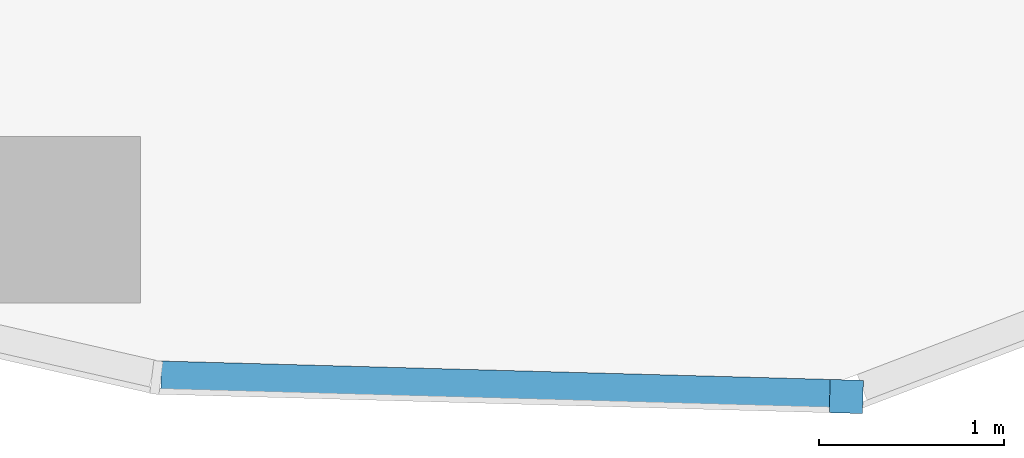
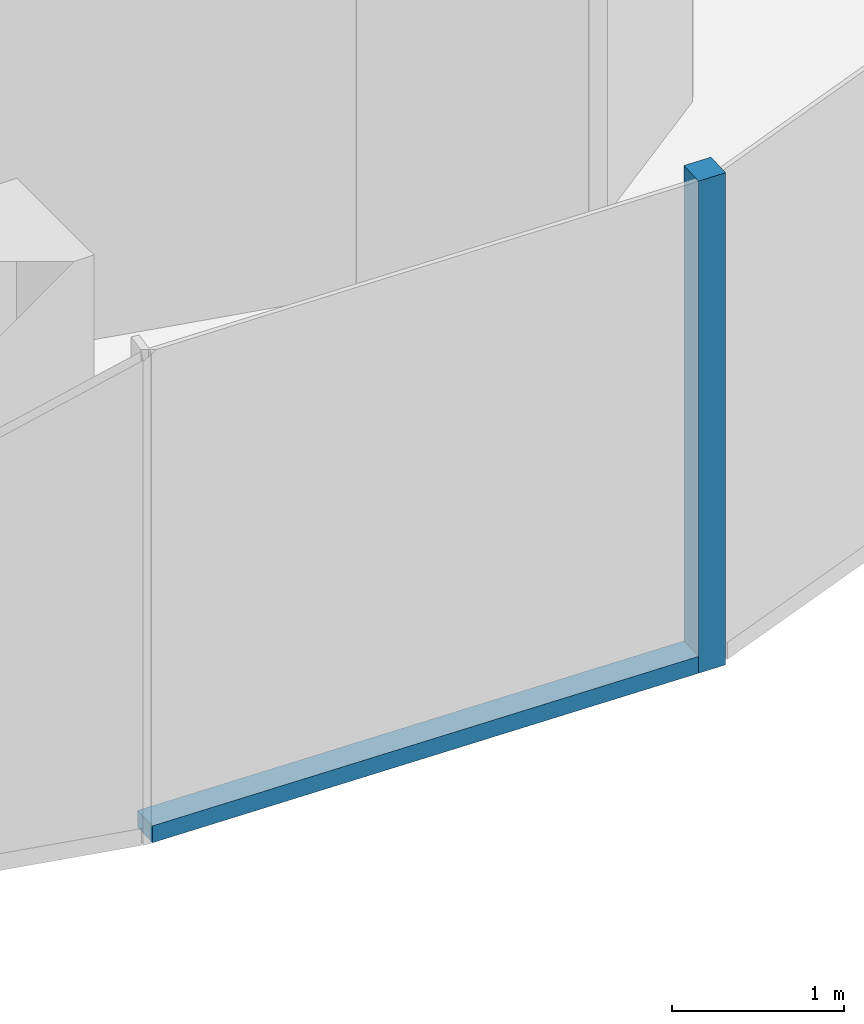
# One storey, part 3 of 24: 2 members, 1 element without a shape of its own.
"""IFC4 building model written with IfcOpenShell, lengths in metres."""

import ifcopenshell
import ifcopenshell.guid

model = None  # the IFC model being written
_history = None  # IfcOwnerHistory: only IFC2X3 demands one
_inside = {}  # id of a spatial element -> (the spatial element, [elements in it])
_under = {}  # id of a project, library or spatial element -> (it, [spatial elements below it])
_declared = {}  # id of a project -> (the project, [libraries it declares])
_typed = {}  # id of a type object -> (the type object, [elements of that type])
_made_of = {}  # id of a material, layer set ... -> (it, [elements and type objects made of it])


def new_model(schema):
    """Start an empty IFC model of exactly this schema.

    Asked for "IFC4X3", IfcOpenShell would pick the latest addendum, in which some entities
    have other attributes; the version numbers below select the first issue.
    IFC2X3 requires an IfcOwnerHistory on every rooted entity: one is made here for all.
    """
    global model, _history
    if schema == "IFC4X3":
        model = ifcopenshell.file(schema_version=(4, 3, 0, 0))
    else:
        model = ifcopenshell.file(schema=schema)
    _inside.clear()
    _under.clear()
    _declared.clear()
    _typed.clear()
    _made_of.clear()
    _history = None
    if model.schema == "IFC2X3":
        org = make("IfcOrganization", Name="unknown")
        user = make(
            "IfcPersonAndOrganization",
            ThePerson=make("IfcPerson", FamilyName="unknown"),
            TheOrganization=org,
        )
        app = make(
            "IfcApplication",
            ApplicationDeveloper=org,
            Version="unknown",
            ApplicationFullName="unknown",
            ApplicationIdentifier="unknown",
        )
        _history = make(
            "IfcOwnerHistory",
            OwningUser=user,
            OwningApplication=app,
            ChangeAction="ADDED",
            CreationDate=0,
        )
    return model


def make(cls, **values):
    """One entity of the class cls with the attributes given. An attribute that is None is left unset."""
    return model.create_entity(
        cls, **{name: value for name, value in values.items() if value is not None}
    )


def rooted(cls, **values):
    """An entity with a GlobalId (a new one), such as an element, a storey or a relation."""
    return make(cls, GlobalId=ifcopenshell.guid.new(), OwnerHistory=_history, **values)


def si_unit(unit_type, name, prefix=None):
    """IfcSIUnit, for example si_unit("LENGTHUNIT", "METRE", prefix="MILLI")."""
    return make("IfcSIUnit", UnitType=unit_type, Prefix=prefix, Name=name)


def assignment(units):
    """IfcUnitAssignment: the units of a project."""
    return None if units is None else make("IfcUnitAssignment", Units=units)


def point(xyz):
    """IfcCartesianPoint."""
    return None if xyz is None else make("IfcCartesianPoint", Coordinates=xyz)


def direction(xyz):
    """IfcDirection."""
    return None if xyz is None else make("IfcDirection", DirectionRatios=xyz)


def frame(location, z_axis=None, x_axis=None):
    """IfcAxis2Placement3D, a coordinate frame: its origin and axes. An axis left out is left unset."""
    return make(
        "IfcAxis2Placement3D",
        Location=point(location),
        Axis=direction(z_axis),
        RefDirection=direction(x_axis),
    )


def frame_2d(location, x_axis=None):
    """IfcAxis2Placement2D, a coordinate frame in the plane: its origin and x axis."""
    return make(
        "IfcAxis2Placement2D", Location=point(location), RefDirection=direction(x_axis)
    )


def origin():
    """The frame at (0, 0, 0) with its axes left unset."""
    return frame((0.0, 0.0, 0.0))


def origin_2d():
    """The frame at (0, 0) in the plane with its x axis left unset."""
    return frame_2d((0.0, 0.0))


def place(relative_to, where):
    """IfcLocalPlacement: puts the frame where relative to a parent placement (None: the world)."""
    return make(
        "IfcLocalPlacement", PlacementRelTo=relative_to, RelativePlacement=where
    )


def context(
    kind, dimensions, precision=None, world=None, true_north=None, identifier=None
):
    """IfcGeometricRepresentationContext, for example the 3D "Model" context."""
    return make(
        "IfcGeometricRepresentationContext",
        ContextIdentifier=identifier,
        ContextType=kind,
        CoordinateSpaceDimension=dimensions,
        Precision=precision,
        WorldCoordinateSystem=world,
        TrueNorth=true_north,
    )


def subcontext(parent, identifier, kind, view, scale=None):
    """IfcGeometricRepresentationSubContext, for example "Body" below "Model"."""
    return make(
        "IfcGeometricRepresentationSubContext",
        ContextIdentifier=identifier,
        ContextType=kind,
        ParentContext=parent,
        TargetScale=scale,
        TargetView=view,
    )


def project(units=None, contexts=None):
    """IfcProject with its units and contexts."""
    return rooted(
        "IfcProject",
        Name="project",
        RepresentationContexts=contexts,
        UnitsInContext=assignment(units),
    )


def spatial(cls, under=None, at=None, **own):
    """A site, building, storey or space (cls), placed at a placement, below another one or the project."""
    s = rooted(cls, ObjectPlacement=at, **own)
    if under is not None:
        _under.setdefault(under.id(), (under, []))[1].append(s)
    return s


def profile(cls, at=None, kind="AREA", **sizes):
    """A parametric profile (cls). Its sizes go by their IFC names, for example OverallWidth=200.0."""
    return make(cls, ProfileType=kind, Position=at, **sizes)


def rectangle(**sizes):
    """IfcRectangleProfileDef."""
    return profile("IfcRectangleProfileDef", **sizes)


def extrude(swept, where, along, depth):
    """IfcExtrudedAreaSolid: the profile swept, set in the frame where, extruded along a direction by depth."""
    return make(
        "IfcExtrudedAreaSolid",
        SweptArea=swept,
        Position=where,
        ExtrudedDirection=direction(along),
        Depth=depth,
    )


def shape(context_of_items, identifier, shape_type, items):
    """IfcShapeRepresentation: the items that make up one representation, for example the "Body"."""
    return make(
        "IfcShapeRepresentation",
        ContextOfItems=context_of_items,
        RepresentationIdentifier=identifier,
        RepresentationType=shape_type,
        Items=items,
    )


def material(Name=None, Category=None):
    """IfcMaterial."""
    return make("IfcMaterial", Name=Name, Category=Category)


def material_profile(
    of_material, cross_section, Name=None, Category=None, Priority=None
):
    """IfcMaterialProfile: a cross section and its material."""
    return make(
        "IfcMaterialProfile",
        Name=Name,
        Material=of_material,
        Profile=cross_section,
        Priority=Priority,
        Category=Category,
    )


def profile_set(profiles, Name=None, composite=None):
    """IfcMaterialProfileSet."""
    return make(
        "IfcMaterialProfileSet",
        Name=Name,
        MaterialProfiles=profiles,
        CompositeProfile=composite,
    )


def made_of(thing, what):
    """Note that an element or type object is made of a material, layer set ...; save() writes the relation."""
    if what is not None:
        _made_of.setdefault(what.id(), (what, []))[1].append(thing)
    return thing


def type_object(cls, material=None, **own):
    """A type object (cls), such as IfcWallType, which elements share."""
    return made_of(rooted(cls, **own), material)


def element(
    cls,
    number,
    at=None,
    inside=None,
    cuts=None,
    type_object=None,
    material=None,
    context=None,
    identifier="Body",
    shape_type=None,
    held_by="IfcProductDefinitionShape",
    body=None,
    shapes=None,
    **own,
):
    """One element of the class cls, such as IfcWall. Its Tag is "e" and its number.

    at: its placement. inside: the storey or other place that contains it. cuts: it is an
    opening in that element (IfcRelVoidsElement). A single representation is given by context,
    identifier, shape_type and body (its items); several are given by shapes. held_by: the class
    of the entity that holds the representations. save() writes the other relations.
    """
    e = rooted(cls, Tag="e%d" % number, ObjectPlacement=at, **own)
    if body is not None:
        shapes = [shape(context, identifier, shape_type, body)]
    if shapes is not None:
        e.Representation = make(held_by, Representations=shapes)
    if inside is not None:
        _inside.setdefault(inside.id(), (inside, []))[1].append(e)
    if cuts is not None:
        rooted(
            "IfcRelVoidsElement", RelatingBuildingElement=cuts, RelatedOpeningElement=e
        )
    if type_object is not None:
        _typed.setdefault(type_object.id(), (type_object, []))[1].append(e)
    return made_of(e, material)


def aggregate(whole, parts):
    """IfcRelAggregates: a whole, such as a stair, and the parts it consists of."""
    return rooted("IfcRelAggregates", RelatingObject=whole, RelatedObjects=parts)


def save(model, path):
    """Write the relations noted so far, then the file.

    IfcRelAggregates (storeys below a building ...), IfcRelContainedInSpatialStructure (elements
    in a storey), IfcRelDefinesByType, IfcRelAssociatesMaterial and IfcRelDeclares: one each for
    every whole, place, type object, material and project.
    """
    for whole, parts in _under.values():
        aggregate(whole, parts)
    for where, things in _inside.values():
        rooted(
            "IfcRelContainedInSpatialStructure",
            RelatedElements=things,
            RelatingStructure=where,
        )
    for kind, things in _typed.values():
        rooted("IfcRelDefinesByType", RelatedObjects=things, RelatingType=kind)
    for what, things in _made_of.values():
        rooted("IfcRelAssociatesMaterial", RelatedObjects=things, RelatingMaterial=what)
    for by, libraries in _declared.values():
        rooted("IfcRelDeclares", RelatingContext=by, RelatedDefinitions=libraries)
    model.write(path)


model = new_model("IFC4")

# Units and contexts
model_context = context("Model", 3, precision=1e-05, world=origin(), true_north=direction((0.0, 1.0)))
body_context = subcontext(model_context, "Body", "Model", "MODEL_VIEW")
ifc_project = project(units=[si_unit("LENGTHUNIT", "METRE"), si_unit("AREAUNIT", "SQUARE_METRE"), si_unit("VOLUMEUNIT", "CUBIC_METRE"), si_unit("PLANEANGLEUNIT", "RADIAN"), si_unit("MASSUNIT", "GRAM", prefix="KILO")], contexts=[model_context])

# Site, building, storey
site_placement = place(None, origin())
site = spatial("IfcSite", under=ifc_project, at=site_placement, CompositionType="ELEMENT")
building_placement = place(site_placement, origin())
building = spatial("IfcBuilding", under=site, at=building_placement, Name="Orlundy Tower", CompositionType="ELEMENT")
storey_placement = place(building_placement, frame((0.0, 0.0, 170.60009765625)))
storey = spatial("IfcBuildingStorey", under=building, at=storey_placement, Name="L44", CompositionType="ELEMENT", Elevation=170.60009765625)

# Curtain wall, members
ifc_material_1 = material(Name="Aluminium bronze anodised", Category="aluminium")
curtain_wall_type = type_object("IfcCurtainWallType", Name="CW1 wall", PredefinedType="NOTDEFINED", material=ifc_material_1)
curtain_wall_placement = place(storey_placement, origin())
curtain_wall = element("IfcCurtainWall", 1, at=curtain_wall_placement, inside=storey, type_object=curtain_wall_type, Name="CW1 run 022", PredefinedType="NOTDEFINED")
ifc_material_2 = material(Name="Aluminium bronze anodised", Category="aluminium")
ifc_material_profile_1 = material_profile(ifc_material_2, rectangle(XDim=0.179931640625, YDim=0.179931640625, at=origin_2d()), Name="CW1 corner post 180x180")
ifc_profile_set_1 = profile_set([ifc_material_profile_1], Name="Aluminium bronze anodised")
member_type_1 = type_object("IfcMemberType", Name="CW1 corner post 180x180", PredefinedType="MULLION", material=ifc_profile_set_1)
member_1_placement = place(storey_placement, frame((0.5205078125, -61.513427734375, -0.420166015625), z_axis=(0.0, 0.0, 1.0), x_axis=(-0.02751993738, -0.999621254799, 0.0)))
member_1 = element("IfcMember", 2, at=member_1_placement, type_object=member_type_1, Name="CW1 mullion 52", PredefinedType="MULLION", context=body_context, shape_type="SweptSolid", body=[
    extrude(rectangle(XDim=0.179931640625, YDim=0.179931640625, at=origin_2d()), origin(), (0.0, 0.0, 1.0), 3.5),
])
ifc_material_3 = material(Name="Aluminium bronze anodised", Category="aluminium")
ifc_material_profile_2 = material_profile(ifc_material_3, rectangle(XDim=0.179931640625, YDim=0.1201171875, at=origin_2d()), Name="CW1 transom 180x120")
ifc_profile_set_2 = profile_set([ifc_material_profile_2], Name="Aluminium bronze anodised")
member_type_2 = type_object("IfcMemberType", Name="CW1 transom 180x120", PredefinedType="USERDEFINED", material=ifc_profile_set_2)
member_2_placement = place(storey_placement, frame((0.430419921875, -61.510986328125, -0.360107421875), z_axis=(-0.999620948111, 0.02753107512, 0.0), x_axis=(-0.02753107512, -0.999620948111, 0.0)))
member_2 = element("IfcMember", 3, at=member_2_placement, type_object=member_type_2, Name="CW1 transom", ObjectType="TRANSOM", PredefinedType="USERDEFINED", context=body_context, shape_type="SweptSolid", body=[
    extrude(rectangle(XDim=0.179931640625, YDim=0.1201171875, at=origin_2d()), origin(), (0.0, 0.0, 1.0), 3.6181640625),
])
aggregate(curtain_wall, [member_1, member_2])

save(model, "model.ifc")
